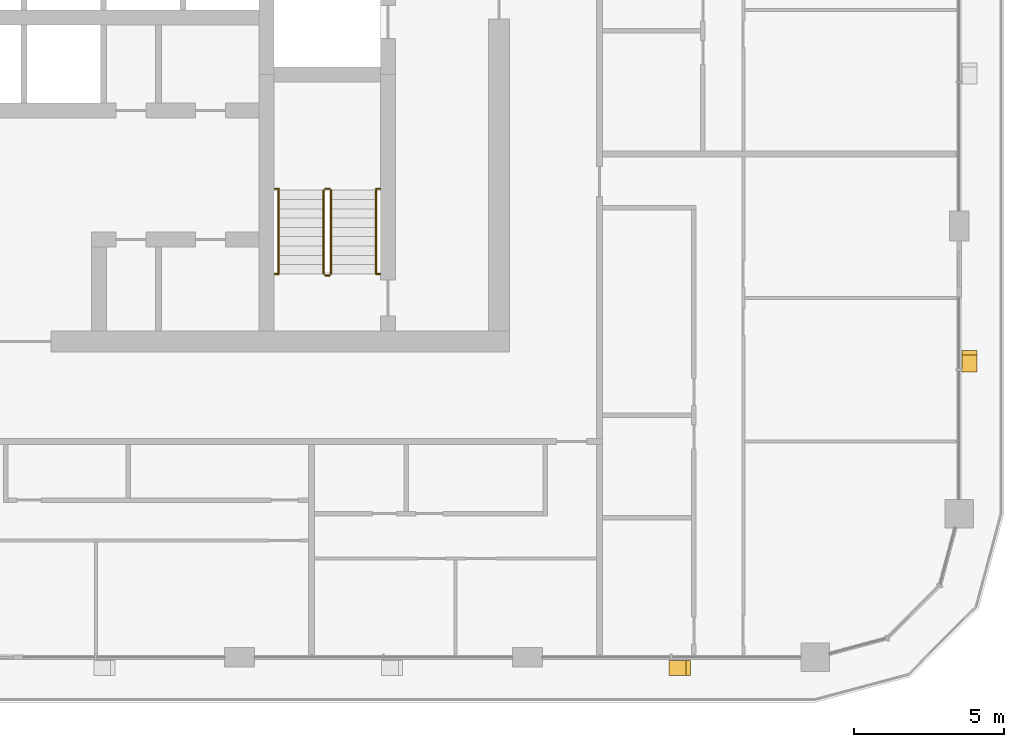
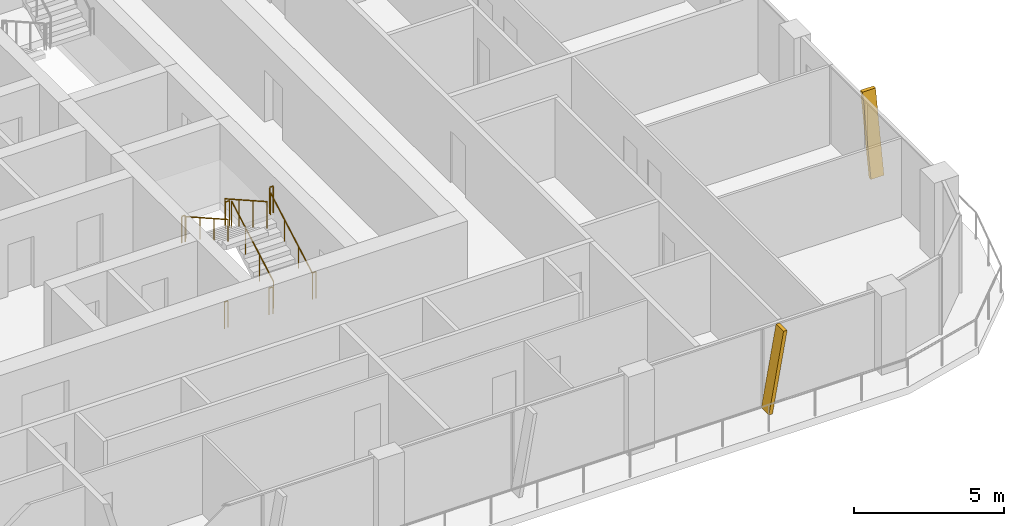
# One storey, part 20 of 23: 10 railings, 2 shading devices.
"""IFC4 building model written with IfcOpenShell, lengths in metres."""

from ifc_helpers import new_model, si_unit, direction, frame, origin, origin_2d, place, context, subcontext, project, spatial, polyline, circle, outline, extrude, material, type_object, element, save


model = new_model("IFC4")

# Units and contexts
model_context = context("Model", 3, precision=1e-05, world=origin(), true_north=direction((0.0, 1.0)))
body_context = subcontext(model_context, "Body", "Model", "MODEL_VIEW")
ifc_project = project(units=[si_unit("LENGTHUNIT", "METRE"), si_unit("AREAUNIT", "SQUARE_METRE"), si_unit("VOLUMEUNIT", "CUBIC_METRE"), si_unit("PLANEANGLEUNIT", "RADIAN"), si_unit("MASSUNIT", "GRAM", prefix="KILO")], contexts=[model_context])

# Site, building, storey
site_placement = place(None, origin())
site = spatial("IfcSite", under=ifc_project, at=site_placement, CompositionType="ELEMENT")
building_placement = place(site_placement, origin())
building = spatial("IfcBuilding", under=site, at=building_placement, Name="Madar Terraces", CompositionType="ELEMENT")
storey_placement = place(building_placement, frame((0.0, 0.0, 212.300048828125)))
storey = spatial("IfcBuildingStorey", under=building, at=storey_placement, Name="L55", CompositionType="ELEMENT", Elevation=212.300048828125)

# Shading devices
ifc_material_1 = material(Name="Aluminium, black anodised", Category="aluminium")
shading_device_type = type_object("IfcShadingDeviceType", Name="Facade fin blade 140 x 500", PredefinedType="USERDEFINED", material=ifc_material_1)
shading_device_1_placement = place(storey_placement, frame((52.72998046875, 4.449951171875, 0.0), z_axis=(0.0, 0.0, 1.0), x_axis=(1.0, 0.0, 0.0)))
element("IfcShadingDevice", 1, at=shading_device_1_placement, inside=storey, type_object=shading_device_type, Name="FIN L55 S5", ObjectType="FIN", PredefinedType="USERDEFINED", context=body_context, shape_type="SweptSolid", body=[
    extrude(outline(polyline([(0.0, 0.0), (0.14013671875, 0.0), (0.704345703125, 3.199951171875), (0.564208984375, 3.199951171875), (0.0, 0.0)])), frame((0.0, 0.25, 0.0), z_axis=(0.0, -1.0, 0.0), x_axis=(1.0, 0.0, 0.0)), (0.0, 0.0, 1.0), 0.5),
])
shading_device_2_placement = place(storey_placement, frame((62.75, 14.330078125, 0.0), z_axis=(0.0, 0.0, 1.0), x_axis=(0.0, 1.0, 0.0)))
element("IfcShadingDevice", 2, at=shading_device_2_placement, inside=storey, type_object=shading_device_type, Name="FIN L55 E1", ObjectType="FIN", PredefinedType="USERDEFINED", context=body_context, shape_type="SweptSolid", body=[
    extrude(outline(polyline([(0.0, 0.0), (0.139892578125, 0.0), (0.704345703125, 3.199951171875), (0.564208984375, 3.199951171875), (0.0, 0.0)])), frame((0.0, 0.25, 0.0), z_axis=(0.0, -1.0, 0.0), x_axis=(1.0, 0.0, 0.0)), (0.0, 0.0, 1.0), 0.5),
])

# Railings
ifc_material_2 = material(Name="Stainless steel railing", Category="steel")
railing_type_1 = type_object("IfcRailingType", Name="Stair guard 1100", PredefinedType="GUARDRAIL", material=ifc_material_2)
railing_1_placement = place(storey_placement, frame((41.449951171875, 17.60009765625, 0.175048828125)))
element("IfcRailing", 3, at=railing_1_placement, inside=storey, type_object=railing_type_1, Name="L55 ST3 stair guard 1", PredefinedType="GUARDRAIL", context=body_context, shape_type="SweptSolid", body=[
    extrude(circle(Radius=0.02392578125, at=origin_2d()), frame((0.0, 0.0, 1.076171875), z_axis=(0.0, 0.870815363784, 0.491610213684), x_axis=(-1.0, 0.0, 0.0)), (0.0, 0.0, 1.0), 3.20361328125),
    extrude(circle(Radius=0.02099609375, at=origin_2d()), origin(), (0.0, 0.0, 1.0), 1.052001953125),
    extrude(circle(Radius=0.02099609375, at=origin_2d()), frame((0.0, 0.929931640625, 0.52490234375)), (0.0, 0.0, 1.0), 1.052001953125),
    extrude(circle(Radius=0.02099609375, at=origin_2d()), frame((0.0, 1.85986328125, 1.050048828125)), (0.0, 0.0, 1.0), 1.052001953125),
    extrude(circle(Radius=0.02099609375, at=origin_2d()), frame((0.0, 2.789794921875, 1.574951171875)), (0.0, 0.0, 1.0), 1.052001953125),
])
railing_2_placement = place(storey_placement, frame((41.39990234375, 20.43994140625, 1.75)))
element("IfcRailing", 4, at=railing_2_placement, inside=storey, type_object=railing_type_1, Name="L55 ST3 stair guard 2", PredefinedType="GUARDRAIL", context=body_context, shape_type="SweptSolid", body=[
    extrude(circle(Radius=0.02392578125, at=origin_2d()), frame((0.0, 0.0, 1.076171875), z_axis=(-1.0, 0.0, 0.0), x_axis=(0.0, -1.0, 0.0)), (0.0, 0.0, 1.0), 0.14990234375),
    extrude(circle(Radius=0.02099609375, at=origin_2d()), origin(), (0.0, 0.0, 1.0), 1.052001953125),
    extrude(circle(Radius=0.02099609375, at=origin_2d()), frame((-0.14990234375, 0.0, 0.0)), (0.0, 0.0, 1.0), 1.052001953125),
])
railing_3_placement = place(storey_placement, frame((41.199951171875, 20.389892578125, 1.925048828125)))
element("IfcRailing", 5, at=railing_3_placement, inside=storey, type_object=railing_type_1, Name="L55 ST3 stair guard 3", PredefinedType="GUARDRAIL", context=body_context, shape_type="SweptSolid", body=[
    extrude(circle(Radius=0.02392578125, at=origin_2d()), frame((0.0, 0.0, 1.076171875), z_axis=(0.0, -0.870815363784, 0.491610213684), x_axis=(1.0, 0.0, 0.0)), (0.0, 0.0, 1.0), 3.20361328125),
    extrude(circle(Radius=0.02099609375, at=origin_2d()), origin(), (0.0, 0.0, 1.0), 1.052001953125),
    extrude(circle(Radius=0.02099609375, at=origin_2d()), frame((0.0, -0.929931640625, 0.52490234375)), (0.0, 0.0, 1.0), 1.052001953125),
    extrude(circle(Radius=0.02099609375, at=origin_2d()), frame((0.0, -1.85986328125, 1.050048828125)), (0.0, 0.0, 1.0), 1.052001953125),
    extrude(circle(Radius=0.02099609375, at=origin_2d()), frame((0.0, -2.789794921875, 1.574951171875)), (0.0, 0.0, 1.0), 1.052001953125),
])
railing_4_placement = place(storey_placement, frame((41.39990234375, 17.550048828125, 0.0)))
element("IfcRailing", 6, at=railing_4_placement, inside=storey, type_object=railing_type_1, Name="L55 ST3 stair guard 4", PredefinedType="GUARDRAIL", context=body_context, shape_type="SweptSolid", body=[
    extrude(circle(Radius=0.02392578125, at=origin_2d()), frame((0.0, 0.0, 1.076171875), z_axis=(-1.0, 0.0, 0.0), x_axis=(0.0, -1.0, 0.0)), (0.0, 0.0, 1.0), 0.14990234375),
    extrude(circle(Radius=0.02099609375, at=origin_2d()), origin(), (0.0, 0.0, 1.0), 1.052001953125),
    extrude(circle(Radius=0.02099609375, at=origin_2d()), frame((-0.14990234375, 0.0, 0.0)), (0.0, 0.0, 1.0), 1.052001953125),
])
railing_5_placement = place(storey_placement, frame((39.570068359375, 20.43994140625, 1.75)))
element("IfcRailing", 7, at=railing_5_placement, inside=storey, type_object=railing_type_1, Name="L55 stair guard seat 1", PredefinedType="GUARDRAIL", context=body_context, shape_type="SweptSolid", body=[
    extrude(circle(Radius=0.02392578125, at=origin_2d()), frame((0.0, 0.0, 1.076171875), z_axis=(1.0, 0.0, 0.0), x_axis=(0.0, 1.0, 0.0)), (0.0, 0.0, 1.0), 0.1298828125),
    extrude(circle(Radius=0.02099609375, at=origin_2d()), origin(), (0.0, 0.0, 1.0), 1.052001953125),
    extrude(circle(Radius=0.02099609375, at=origin_2d()), frame((0.1298828125, 0.0, 0.0)), (0.0, 0.0, 1.0), 1.052001953125),
])
railing_6_placement = place(storey_placement, frame((42.949951171875, 20.43994140625, 1.75)))
element("IfcRailing", 8, at=railing_6_placement, inside=storey, type_object=railing_type_1, Name="L55 stair guard seat 2", PredefinedType="GUARDRAIL", context=body_context, shape_type="SweptSolid", body=[
    extrude(circle(Radius=0.02392578125, at=origin_2d()), frame((0.0, 0.0, 1.076171875), z_axis=(1.0, 0.0, 0.0), x_axis=(0.0, 1.0, 0.0)), (0.0, 0.0, 1.0), 0.130126953125),
    extrude(circle(Radius=0.02099609375, at=origin_2d()), origin(), (0.0, 0.0, 1.0), 1.052001953125),
    extrude(circle(Radius=0.02099609375, at=origin_2d()), frame((0.130126953125, 0.0, 0.0)), (0.0, 0.0, 1.0), 1.052001953125),
])
railing_7_placement = place(storey_placement, frame((39.570068359375, 17.60009765625, 0.0)))
element("IfcRailing", 9, at=railing_7_placement, inside=storey, type_object=railing_type_1, Name="L55 stair guard floor 1", PredefinedType="GUARDRAIL", context=body_context, shape_type="SweptSolid", body=[
    extrude(circle(Radius=0.02392578125, at=origin_2d()), frame((0.0, 0.0, 1.076171875), z_axis=(1.0, 0.0, 0.0), x_axis=(0.0, 1.0, 0.0)), (0.0, 0.0, 1.0), 0.1298828125),
    extrude(circle(Radius=0.02099609375, at=origin_2d()), origin(), (0.0, 0.0, 1.0), 1.052001953125),
    extrude(circle(Radius=0.02099609375, at=origin_2d()), frame((0.1298828125, 0.0, 0.0)), (0.0, 0.0, 1.0), 1.052001953125),
])
railing_8_placement = place(storey_placement, frame((42.949951171875, 17.60009765625, 0.0)))
element("IfcRailing", 10, at=railing_8_placement, inside=storey, type_object=railing_type_1, Name="L55 stair guard floor 2", PredefinedType="GUARDRAIL", context=body_context, shape_type="SweptSolid", body=[
    extrude(circle(Radius=0.02392578125, at=origin_2d()), frame((0.0, 0.0, 1.076171875), z_axis=(1.0, 0.0, 0.0), x_axis=(0.0, 1.0, 0.0)), (0.0, 0.0, 1.0), 0.130126953125),
    extrude(circle(Radius=0.02099609375, at=origin_2d()), origin(), (0.0, 0.0, 1.0), 1.052001953125),
    extrude(circle(Radius=0.02099609375, at=origin_2d()), frame((0.130126953125, 0.0, 0.0)), (0.0, 0.0, 1.0), 1.052001953125),
])
ifc_material_3 = material(Name="Stainless steel railing", Category="steel")
railing_type_2 = type_object("IfcRailingType", Name="Stair handrail 900", PredefinedType="HANDRAIL", material=ifc_material_3)
railing_9_placement = place(storey_placement, frame((42.949951171875, 17.60009765625, 0.175048828125)))
element("IfcRailing", 11, at=railing_9_placement, inside=storey, type_object=railing_type_2, Name="L55 ST3 stair handrail 1", PredefinedType="HANDRAIL", context=body_context, shape_type="SweptSolid", body=[
    extrude(circle(Radius=0.02392578125, at=origin_2d()), frame((0.0, 0.0, 0.8759765625), z_axis=(0.0, 0.870815363784, 0.491610213684), x_axis=(-1.0, 0.0, 0.0)), (0.0, 0.0, 1.0), 3.20361328125),
    extrude(circle(Radius=0.02099609375, at=origin_2d()), origin(), (0.0, 0.0, 1.0), 0.851806640625),
    extrude(circle(Radius=0.02099609375, at=origin_2d()), frame((0.0, 0.929931640625, 0.52490234375)), (0.0, 0.0, 1.0), 0.851806640625),
    extrude(circle(Radius=0.02099609375, at=origin_2d()), frame((0.0, 1.85986328125, 1.050048828125)), (0.0, 0.0, 1.0), 0.851806640625),
    extrude(circle(Radius=0.02099609375, at=origin_2d()), frame((0.0, 2.789794921875, 1.574951171875)), (0.0, 0.0, 1.0), 0.851806640625),
])
railing_10_placement = place(storey_placement, frame((39.699951171875, 20.389892578125, 1.925048828125)))
element("IfcRailing", 12, at=railing_10_placement, inside=storey, type_object=railing_type_2, Name="L55 ST3 stair handrail 2", PredefinedType="HANDRAIL", context=body_context, shape_type="SweptSolid", body=[
    extrude(circle(Radius=0.02392578125, at=origin_2d()), frame((0.0, 0.0, 0.8759765625), z_axis=(0.0, -0.870815363784, 0.491610213684), x_axis=(1.0, 0.0, 0.0)), (0.0, 0.0, 1.0), 3.20361328125),
    extrude(circle(Radius=0.02099609375, at=origin_2d()), origin(), (0.0, 0.0, 1.0), 0.851806640625),
    extrude(circle(Radius=0.02099609375, at=origin_2d()), frame((0.0, -0.929931640625, 0.52490234375)), (0.0, 0.0, 1.0), 0.851806640625),
    extrude(circle(Radius=0.02099609375, at=origin_2d()), frame((0.0, -1.85986328125, 1.050048828125)), (0.0, 0.0, 1.0), 0.851806640625),
    extrude(circle(Radius=0.02099609375, at=origin_2d()), frame((0.0, -2.789794921875, 1.574951171875)), (0.0, 0.0, 1.0), 0.851806640625),
])

save(model, "model.ifc")
